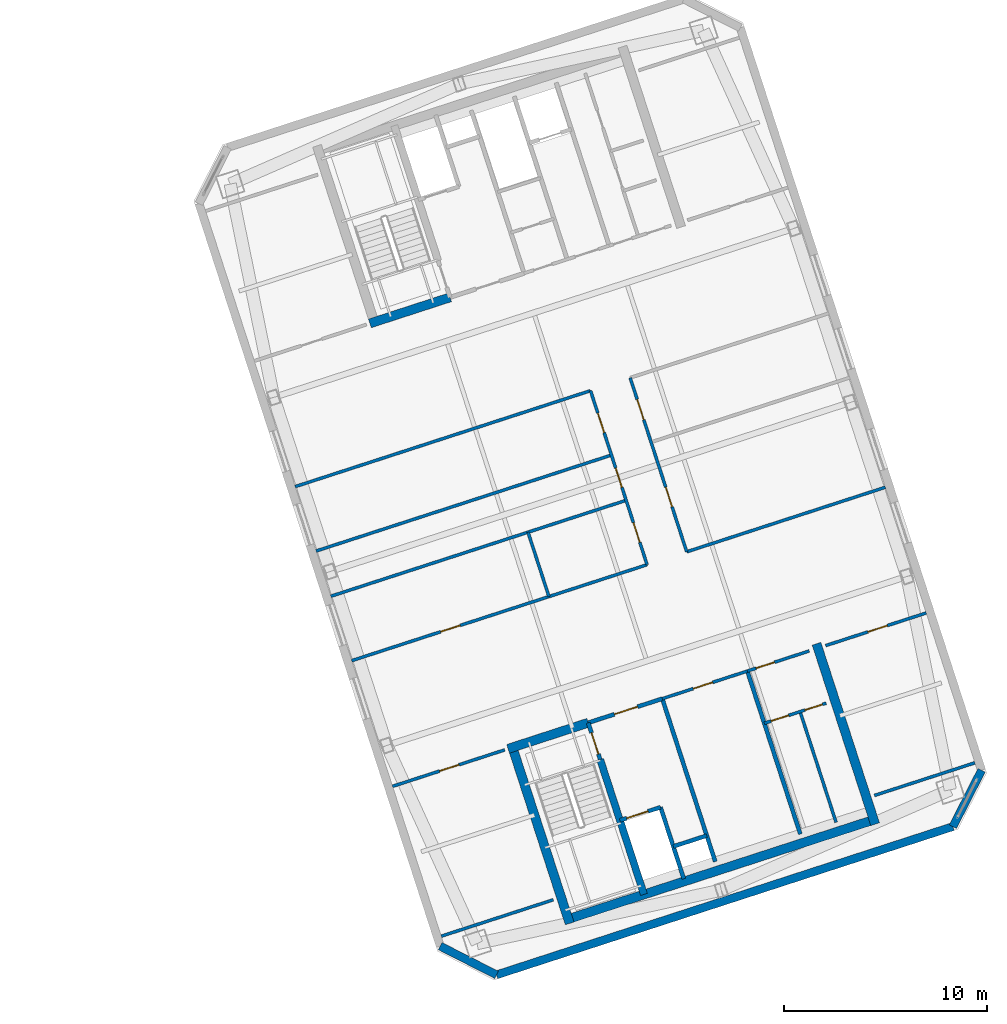
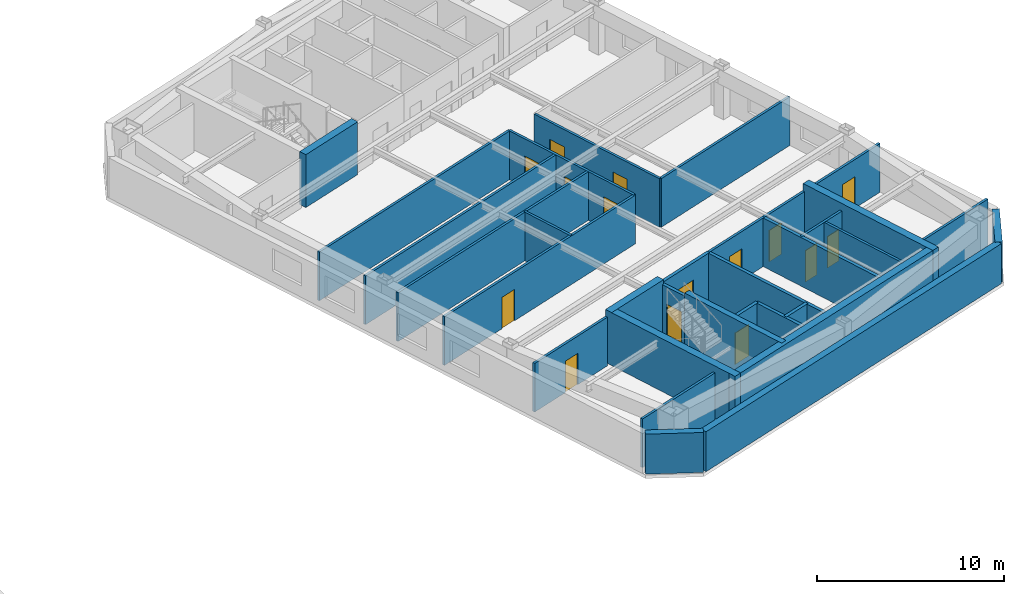
# One storey, part 16 of 20: 32 walls, 15 doors, 15 openings.
"""IFC4 building model written with IfcOpenShell, lengths in metres."""

from ifc_helpers import new_model, si_unit, direction, frame, frame_2d, origin, place, context, subcontext, project, spatial, rectangle, extrude, material, layer, layer_set, type_object, element, fill, save


model = new_model("IFC4")

# Units and contexts
model_context = context("Model", 3, precision=1e-05, world=origin(), true_north=direction((0.0, 1.0)))
body_context = subcontext(model_context, "Body", "Model", "MODEL_VIEW")
ifc_project = project(units=[si_unit("LENGTHUNIT", "METRE"), si_unit("AREAUNIT", "SQUARE_METRE"), si_unit("VOLUMEUNIT", "CUBIC_METRE"), si_unit("PLANEANGLEUNIT", "RADIAN"), si_unit("MASSUNIT", "GRAM", prefix="KILO")], contexts=[model_context])

# Site, building, storey
site_placement = place(None, origin())
site = spatial("IfcSite", under=ifc_project, at=site_placement, CompositionType="ELEMENT")
building_placement = place(site_placement, origin())
building = spatial("IfcBuilding", under=site, at=building_placement, Name="Qiaolan Cultural Towers", CompositionType="ELEMENT")
storey_placement = place(building_placement, frame((0.0, 0.0, 223.10009765625)))
storey = spatial("IfcBuildingStorey", under=building, at=storey_placement, Name="L60", CompositionType="ELEMENT", Elevation=223.10009765625)

# Walls
ifc_material_1 = material(Name="Concrete C50", Category="concrete")
ifc_layer_1 = layer(ifc_material_1, 0.35009765625)
ifc_layer_set_1 = layer_set([ifc_layer_1], Name="Concrete C50")
wall_type_1 = type_object("IfcWallType", Name="WL-CORE-350", PredefinedType="SHEAR", material=ifc_layer_set_1)
wall_1_placement = place(storey_placement, frame((90.486328125, 20.59423828125, 0.0), z_axis=(0.0, 0.0, 1.0), x_axis=(0.309020428229, -0.951055400562, 0.0)))
element("IfcWall", 1, at=wall_1_placement, inside=storey, type_object=wall_type_1, Name="L60 T2-CS Stair Core Dividing Web", PredefinedType="SHEAR", context=body_context, shape_type="SweptSolid", body=[
    extrude(rectangle(XDim=6.97998046875, YDim=0.35009765625, at=frame_2d((3.489990234375, 0.0))), origin(), (0.0, 0.0, 1.0), 3.449951171875),
])
ifc_material_2 = material(Name="Concrete C50", Category="concrete")
ifc_layer_2 = layer(ifc_material_2, 0.449951171875)
ifc_layer_set_2 = layer_set([ifc_layer_2], Name="Concrete C50")
wall_type_2 = type_object("IfcWallType", Name="WL-CORE-450", PredefinedType="SHEAR", material=ifc_layer_set_2)
wall_2_placement = place(storey_placement, frame((88.701171875, 12.675048828125, 0.0), z_axis=(0.0, 0.0, 1.0), x_axis=(0.95105824505, 0.309011673763, 0.0)))
element("IfcWall", 2, at=wall_2_placement, inside=storey, type_object=wall_type_2, Name="L60 T2-CS Outer Core Shear Wall", PredefinedType="SHEAR", context=body_context, shape_type="SweptSolid", body=[
    extrude(rectangle(XDim=16.250244140625, YDim=0.449951171875, at=frame_2d((8.125, 0.0))), origin(), (0.0, 0.0, 1.0), 3.449951171875),
])
for number, where, z_axis, x_axis, name in (
    (3, (86.1015625, 21.40380859375, 0.0), (0.0, 0.0, 1.0), (0.309035778627, -0.951050412717, 0.0), "L60 T2-CS West Core Shear Wall"),
    (4, (101.12841796875, 26.286376953125, 0.0), (0.0, 0.0, 1.0), (0.309004419953, -0.951060601881, 0.0), "L60 T2-CS East Core Shear Wall"),
):
    element("IfcWall", number, at=place(storey_placement, frame(where, z_axis=z_axis, x_axis=x_axis)), inside=storey, type_object=wall_type_2, Name=name, PredefinedType="SHEAR", context=body_context, shape_type="SweptSolid", body=[
        extrude(rectangle(XDim=9.330078125, YDim=0.449951171875, at=frame_2d((4.6650390625, 0.0))), origin(), (0.0, 0.0, 1.0), 3.449951171875),
    ])
for number, where, z_axis, x_axis, name in (
    (5, (85.957275390625, 21.120361328125, 0.0), (0.0, 0.0, 1.0), (0.951064796122, 0.308991510526, 0.0), "L60 T2-CS Stair Front Shear Wall"),
    (6, (79.15869140625, 42.04345703125, 0.0), (0.0, 0.0, 1.0), (0.951047485828, 0.309044785913, 0.0), "L60 T2-CN Stair Front Shear Wall"),
):
    element("IfcWall", number, at=place(storey_placement, frame(where, z_axis=z_axis, x_axis=x_axis)), inside=storey, type_object=wall_type_2, Name=name, PredefinedType="SHEAR", context=body_context, shape_type="SweptSolid", body=[
        extrude(rectangle(XDim=4.14501953125, YDim=0.449951171875, at=frame_2d((2.072509765625, 0.0))), origin(), (0.0, 0.0, 1.0), 3.449951171875),
    ])
ifc_material_3 = material(Name="Precast Concrete C50 Honed Stone Pier", Category="masonry")
ifc_layer_3 = layer(ifc_material_3, 0.39990234375)
ifc_layer_set_3 = layer_set([ifc_layer_3], Name="Precast Concrete C50 Honed Stone Pier")
wall_type_3 = type_object("IfcWallType", Name="WL-EXT-PIER-400", PredefinedType="SOLIDWALL", material=ifc_layer_set_3)
wall_3_placement = place(storey_placement, frame((109.247802734375, 20.06591796875, 0.0), z_axis=(0.0, 0.0, 1.0), x_axis=(-0.453949291228, -0.891027519774, 0.0)))
element("IfcWall", 7, at=wall_3_placement, inside=storey, type_object=wall_type_3, Name="L60 East Tower Precast Pier Facade Wall F6", PredefinedType="SOLIDWALL", context=body_context, shape_type="SweptSolid", body=[
    extrude(rectangle(XDim=3.111328125, YDim=0.39990234375, at=frame_2d((1.5556640625, 0.0))), origin(), (0.0, 0.0, 1.0), 2.60986328125),
])
wall_4_placement = place(storey_placement, frame((107.83544921875, 17.293701171875, 0.0), z_axis=(0.0, 0.0, 1.0), x_axis=(-0.951058012937, -0.309012388148, 0.0)))
element("IfcWall", 8, at=wall_4_placement, inside=storey, type_object=wall_type_3, Name="L60 East Tower Precast Pier Facade Wall F7", PredefinedType="SOLIDWALL", context=body_context, shape_type="SweptSolid", body=[
    extrude(rectangle(XDim=23.60009765625, YDim=0.39990234375, at=frame_2d((11.800048828125, 0.0))), origin(), (0.0, 0.0, 1.0), 2.60986328125),
])
wall_5_placement = place(storey_placement, frame((85.390380859375, 10.0009765625, 0.0), z_axis=(0.0, 0.0, 1.0), x_axis=(-0.890979603174, 0.454043331334, 0.0)))
element("IfcWall", 9, at=wall_5_placement, inside=storey, type_object=wall_type_3, Name="L60 East Tower Precast Pier Facade Wall F8", PredefinedType="SOLIDWALL", context=body_context, shape_type="SweptSolid", body=[
    extrude(rectangle(XDim=3.111083984375, YDim=0.39990234375, at=frame_2d((1.5556640625, 0.0))), origin(), (0.0, 0.0, 1.0), 2.60986328125),
])

# Wall, opening, door
ifc_material_4 = material(Name="Concrete C35 Fire Wall", Category="concrete")
ifc_layer_4 = layer(ifc_material_4, 0.199951171875)
ifc_layer_set_4 = layer_set([ifc_layer_4], Name="Concrete C35 Fire Wall")
wall_type_4 = type_object("IfcWallType", Name="WL-FIRE-200", PredefinedType="PARTITIONING", material=ifc_layer_set_4)
wall_6_placement = place(storey_placement, frame((89.8994140625, 22.401123046875, 0.0), z_axis=(0.0, 0.0, 1.0), x_axis=(0.308932062672, -0.951084108086, 0.0)))
wall_6 = element("IfcWall", 10, at=wall_6_placement, inside=storey, type_object=wall_type_4, Name="L60 T2-CS Smokeproof Stair Entry Wall", PredefinedType="PARTITIONING", context=body_context, shape_type="SweptSolid", body=[
    extrude(rectangle(XDim=1.89990234375, YDim=0.199951171875, at=frame_2d((0.949951171875, 0.0))), origin(), (0.0, 0.0, 1.0), 3.1748046875),
])
opening_1_placement = place(wall_6_placement, frame((0.52001953125, 0.0, 0.0)))
opening_1 = element("IfcOpeningElement", 11, at=opening_1_placement, cuts=wall_6, Name="Opening FD-04", PredefinedType="OPENING", context=body_context, shape_type="SweptSolid", body=[
    extrude(rectangle(XDim=1.10009765625, YDim=2.050048828125, at=frame_2d((0.550048828125, 1.02490234375))), frame((0.0, 0.10986328125, 0.0), z_axis=(0.0, -1.0, 0.0), x_axis=(1.0, 0.0, 0.0)), (0.0, 0.0, 1.0), 0.219970703125),
])
ifc_material_5 = material(Name="Galvanized Steel Command Fire Door", Category="steel")
door_type_1 = type_object("IfcDoorType", Name="DR-FD90-1100", OperationType="NOTDEFINED", PredefinedType="DOOR", material=ifc_material_5)
door_1_placement = place(opening_1_placement, origin())
door_1 = element("IfcDoor", 12, at=door_1_placement, inside=storey, type_object=door_type_1, Name="L60 ST-E1 Smokeproof Stair Fire Door", OperationType="SINGLE_SWING_LEFT", OverallHeight=2.050048828125, OverallWidth=1.10009765625, PredefinedType="DOOR", context=body_context, shape_type="SweptSolid", body=[
    extrude(rectangle(XDim=1.10009765625, YDim=2.050048828125, at=frame_2d((0.550048828125, 1.02490234375))), frame((0.0, 0.02490234375, 0.0), z_axis=(0.0, -1.0, 0.0), x_axis=(1.0, 0.0, 0.0)), (0.0, 0.0, 1.0), 0.050048828125),
])
fill(opening_1, door_1)

# Wall
wall_7_placement = place(storey_placement, frame((93.541748046875, 23.584716796875, 0.0), z_axis=(0.0, 0.0, 1.0), x_axis=(0.309042196757, -0.951048327176, 0.0)))
element("IfcWall", 13, at=wall_7_placement, inside=storey, type_object=wall_type_4, Name="L60 T2-CS Firefighting Zone Wall", PredefinedType="PARTITIONING", context=body_context, shape_type="SweptSolid", body=[
    extrude(rectangle(XDim=8.429931640625, YDim=0.199951171875, at=frame_2d((4.21484375, 0.0))), origin(), (0.0, 0.0, 1.0), 3.1748046875),
])

# Wall, opening, door
wall_8_placement = place(storey_placement, frame((89.8994140625, 22.401123046875, 0.0), z_axis=(0.0, 0.0, 1.0), x_axis=(0.951046716504, 0.309047153403, 0.0)))
wall_8 = element("IfcWall", 14, at=wall_8_placement, inside=storey, type_object=wall_type_4, Name="L60 T2-CS Firefighting Lobby Front Wall", PredefinedType="PARTITIONING", context=body_context, shape_type="SweptSolid", body=[
    extrude(rectangle(XDim=3.829833984375, YDim=0.199951171875, at=frame_2d((1.9150390625, 0.0))), origin(), (0.0, 0.0, 1.0), 3.1748046875),
])
opening_2_placement = place(wall_8_placement, frame((1.35009765625, 0.0, 0.0)))
opening_2 = element("IfcOpeningElement", 15, at=opening_2_placement, cuts=wall_8, Name="Opening FD-03", PredefinedType="OPENING", context=body_context, shape_type="SweptSolid", body=[
    extrude(rectangle(XDim=1.199951171875, YDim=2.050048828125, at=frame_2d((0.60009765625, 1.02490234375))), frame((0.0, 0.10986328125, 0.0), z_axis=(0.0, -1.0, 0.0), x_axis=(1.0, 0.0, 0.0)), (0.0, 0.0, 1.0), 0.219970703125),
])
ifc_material_6 = material(Name="Galvanized Steel Smokeproof Lobby Fire Door", Category="steel")
door_type_2 = type_object("IfcDoorType", Name="DR-FD90-1200", OperationType="NOTDEFINED", PredefinedType="DOOR", material=ifc_material_6)
door_2_placement = place(opening_2_placement, origin())
door_2 = element("IfcDoor", 16, at=door_2_placement, inside=storey, type_object=door_type_2, Name="L60 FFL-E1 Firefighting Lobby Fire Door", OperationType="SINGLE_SWING_LEFT", OverallHeight=2.050048828125, OverallWidth=1.199951171875, PredefinedType="DOOR", context=body_context, shape_type="SweptSolid", body=[
    extrude(rectangle(XDim=1.199951171875, YDim=2.050048828125, at=frame_2d((0.60009765625, 1.02490234375))), frame((0.0, 0.02490234375, 0.0), z_axis=(0.0, -1.0, 0.0), x_axis=(1.0, 0.0, 0.0)), (0.0, 0.0, 1.0), 0.050048828125),
])
fill(opening_2, door_2)

wall_9_placement = place(storey_placement, frame((91.459716796875, 17.598388671875, 0.0), z_axis=(0.0, 0.0, 1.0), x_axis=(0.951062257173, 0.308999325213, 0.0)))
wall_9 = element("IfcWall", 17, at=wall_9_placement, inside=storey, type_object=wall_type_4, Name="L60 T2-CS Firefighting Shaft Front Wall", PredefinedType="PARTITIONING", context=body_context, shape_type="SweptSolid", body=[
    extrude(rectangle(XDim=2.10009765625, YDim=0.199951171875, at=frame_2d((1.050048828125, 0.0))), origin(), (0.0, 0.0, 1.0), 3.1748046875),
])
opening_3_placement = place(wall_9_placement, frame((0.35009765625, 0.0, 0.0)))
opening_3 = element("IfcOpeningElement", 18, at=opening_3_placement, cuts=wall_9, Name="Opening LD-01", PredefinedType="OPENING", context=body_context, shape_type="SweptSolid", body=[
    extrude(rectangle(XDim=1.10009765625, YDim=2.050048828125, at=frame_2d((0.550048828125, 1.02490234375))), frame((0.0, 0.10986328125, 0.0), z_axis=(0.0, -1.0, 0.0), x_axis=(1.0, 0.0, 0.0)), (0.0, 0.0, 1.0), 0.219970703125),
])
ifc_material_7 = material(Name="Brushed Stainless Steel S30408 Centre-Parting Lift Landing Door", Category="steel")
door_type_3 = type_object("IfcDoorType", Name="DR-LIFT-1100", OperationType="NOTDEFINED", PredefinedType="DOOR", material=ifc_material_7)
door_3_placement = place(opening_3_placement, origin())
door_3 = element("IfcDoor", 19, at=door_3_placement, inside=storey, type_object=door_type_3, Name="L60 FFL-E1 Firefighting Lift Landing Door", OperationType="DOUBLE_DOOR_SLIDING", OverallHeight=2.050048828125, OverallWidth=1.10009765625, PredefinedType="DOOR", context=body_context, shape_type="SweptSolid", body=[
    extrude(rectangle(XDim=1.10009765625, YDim=2.050048828125, at=frame_2d((0.550048828125, 1.02490234375))), frame((0.0, 0.02490234375, 0.0), z_axis=(0.0, -1.0, 0.0), x_axis=(1.0, 0.0, 0.0)), (0.0, 0.0, 1.0), 0.050048828125),
])
fill(opening_3, door_3)

# Walls
wall_10_placement = place(storey_placement, frame((93.45703125, 18.247314453125, 0.0), z_axis=(0.0, 0.0, 1.0), x_axis=(0.3089935693, -0.951064127245, 0.0)))
element("IfcWall", 20, at=wall_10_placement, inside=storey, type_object=wall_type_4, Name="L60 T2-CS Firefighting Hoistway East Wall", PredefinedType="PARTITIONING", context=body_context, shape_type="SweptSolid", body=[
    extrude(rectangle(XDim=3.7001953125, YDim=0.199951171875, at=frame_2d((1.85009765625, 0.0))), origin(), (0.0, 0.0, 1.0), 3.1748046875),
])
wall_11_placement = place(storey_placement, frame((94.08447265625, 16.316650390625, 0.0), z_axis=(0.0, 0.0, 1.0), x_axis=(0.951041328149, 0.309063734775, 0.0)))
element("IfcWall", 21, at=wall_11_placement, inside=storey, type_object=wall_type_4, Name="L60 T2-CS Pressurization Shaft Front Wall", PredefinedType="PARTITIONING", context=body_context, shape_type="SweptSolid", body=[
    extrude(rectangle(XDim=1.72998046875, YDim=0.199951171875, at=frame_2d((0.864990234375, 0.0))), origin(), (0.0, 0.0, 1.0), 3.1748046875),
])
wall_12_placement = place(storey_placement, frame((97.7265625, 24.9443359375, 0.0), z_axis=(0.0, 0.0, 1.0), x_axis=(0.309016001439, -0.951056838919, 0.0)))
element("IfcWall", 22, at=wall_12_placement, inside=storey, type_object=wall_type_4, Name="L60 T2-CS Lift Core East Wall", PredefinedType="PARTITIONING", context=body_context, shape_type="SweptSolid", body=[
    extrude(rectangle(XDim=8.429931640625, YDim=0.199951171875, at=frame_2d((4.21484375, 0.0))), origin(), (0.0, 0.0, 1.0), 3.1748046875),
])

# Wall, opening, door
ifc_material_8 = material(Name="Autoclaved Aerated Concrete Block B06", Category="concrete")
ifc_layer_5 = layer(ifc_material_8, 0.14990234375)
ifc_layer_set_5 = layer_set([ifc_layer_5], Name="Autoclaved Aerated Concrete Block B06")
wall_type_5 = type_object("IfcWallType", Name="WL-PART-150", PredefinedType="PARTITIONING", material=ifc_layer_set_5)
wall_13_placement = place(storey_placement, frame((93.541748046875, 23.584716796875, 0.0), z_axis=(0.0, 0.0, 1.0), x_axis=(0.951063829732, 0.308994485023, 0.0)))
wall_13 = element("IfcWall", 23, at=wall_13_placement, inside=storey, type_object=wall_type_5, Name="L60 T2-CS Reclaimed Core Room Front Wall", PredefinedType="PARTITIONING", context=body_context, shape_type="SweptSolid", body=[
    extrude(rectangle(XDim=4.400146484375, YDim=0.14990234375, at=frame_2d((2.2001953125, 0.0))), origin(), (0.0, 0.0, 1.0), 3.1748046875),
])
opening_4_placement = place(wall_13_placement, frame((1.60009765625, 0.0, 0.0)))
opening_4 = element("IfcOpeningElement", 24, at=opening_4_placement, cuts=wall_13, Name="Opening ID-04", PredefinedType="OPENING", context=body_context, shape_type="SweptSolid", body=[
    extrude(rectangle(XDim=1.0, YDim=2.050048828125, at=frame_2d((0.5, 1.02490234375))), frame((0.0, 0.0849609375, 0.0), z_axis=(0.0, -1.0, 0.0), x_axis=(1.0, 0.0, 0.0)), (0.0, 0.0, 1.0), 0.169921875),
])
ifc_material_9 = material(Name="Oak Veneer Acoustic Office Door", Category="timber")
door_type_4 = type_object("IfcDoorType", Name="DR-INT-1000", OperationType="NOTDEFINED", PredefinedType="DOOR", material=ifc_material_9)
door_4_placement = place(opening_4_placement, origin())
door_4 = element("IfcDoor", 25, at=door_4_placement, inside=storey, type_object=door_type_4, Name="L60 Reclaimed Archive Room Door", OperationType="SINGLE_SWING_LEFT", OverallHeight=2.050048828125, OverallWidth=1.0, PredefinedType="DOOR", context=body_context, shape_type="SweptSolid", body=[
    extrude(rectangle(XDim=1.0, YDim=2.050048828125, at=frame_2d((0.5, 1.02490234375))), frame((0.0, 0.02490234375, 0.0), z_axis=(0.0, -1.0, 0.0), x_axis=(1.0, 0.0, 0.0)), (0.0, 0.0, 1.0), 0.050048828125),
])
fill(opening_4, door_4)

wall_14_placement = place(storey_placement, frame((97.7265625, 24.9443359375, 0.0), z_axis=(0.0, 0.0, 1.0), x_axis=(0.951036872128, 0.309077446369, 0.0)))
wall_14 = element("IfcWall", 26, at=wall_14_placement, inside=storey, type_object=wall_type_5, Name="L60 T2-CS Sanitary Core Front Wall", PredefinedType="PARTITIONING", context=body_context, shape_type="SweptSolid", body=[
    extrude(rectangle(XDim=3.199951171875, YDim=0.14990234375, at=frame_2d((1.60009765625, 0.0))), origin(), (0.0, 0.0, 1.0), 3.1748046875),
])
opening_5_placement = place(wall_14_placement, frame((0.449951171875, 0.0, 0.0)))
opening_5 = element("IfcOpeningElement", 27, at=opening_5_placement, cuts=wall_14, Name="Opening ID-05", PredefinedType="OPENING", context=body_context, shape_type="SweptSolid", body=[
    extrude(rectangle(XDim=0.949951171875, YDim=2.050048828125, at=frame_2d((0.47509765625, 1.02490234375))), frame((0.0, 0.0849609375, 0.0), z_axis=(0.0, -1.0, 0.0), x_axis=(1.0, 0.0, 0.0)), (0.0, 0.0, 1.0), 0.169921875),
])
ifc_material_10 = material(Name="Fire-Rated Laminate Accessible Core Door", Category="timber")
door_type_5 = type_object("IfcDoorType", Name="DR-INT-950", OperationType="NOTDEFINED", PredefinedType="DOOR", material=ifc_material_10)
door_5_placement = place(opening_5_placement, origin())
door_5 = element("IfcDoor", 28, at=door_5_placement, inside=storey, type_object=door_type_5, Name="L60 Sanitary Vestibule Door", OperationType="SINGLE_SWING_LEFT", OverallHeight=2.050048828125, OverallWidth=0.949951171875, PredefinedType="DOOR", context=body_context, shape_type="SweptSolid", body=[
    extrude(rectangle(XDim=0.949951171875, YDim=2.050048828125, at=frame_2d((0.47509765625, 1.02490234375))), frame((0.0, 0.02490234375, 0.0), z_axis=(0.0, -1.0, 0.0), x_axis=(1.0, 0.0, 0.0)), (0.0, 0.0, 1.0), 0.050048828125),
])
fill(opening_5, door_5)

# Wall, openings, doors
wall_15_placement = place(storey_placement, frame((98.560791015625, 22.37646484375, 0.0), z_axis=(0.0, 0.0, 1.0), x_axis=(0.95104415986, 0.309055020985, 0.0)))
wall_15 = element("IfcWall", 29, at=wall_15_placement, inside=storey, type_object=wall_type_5, Name="L60 T2-CS Restroom Vestibule Wall", PredefinedType="PARTITIONING", context=body_context, shape_type="SweptSolid", body=[
    extrude(rectangle(XDim=3.2001953125, YDim=0.14990234375, at=frame_2d((1.60009765625, 0.0))), origin(), (0.0, 0.0, 1.0), 3.1748046875),
])
opening_6_placement = place(wall_15_placement, frame((0.35009765625, 0.0, 0.0)))
opening_6 = element("IfcOpeningElement", 30, at=opening_6_placement, cuts=wall_15, Name="Opening ID-06", PredefinedType="OPENING", context=body_context, shape_type="SweptSolid", body=[
    extrude(rectangle(XDim=0.89990234375, YDim=2.050048828125, at=frame_2d((0.449951171875, 1.02490234375))), frame((0.0, 0.0849609375, 0.0), z_axis=(0.0, -1.0, 0.0), x_axis=(1.0, 0.0, 0.0)), (0.0, 0.0, 1.0), 0.169921875),
])
opening_7_placement = place(wall_15_placement, frame((2.10009765625, 0.0, 0.0)))
opening_7 = element("IfcOpeningElement", 31, at=opening_7_placement, cuts=wall_15, Name="Opening ID-06", PredefinedType="OPENING", context=body_context, shape_type="SweptSolid", body=[
    extrude(rectangle(XDim=0.89990234375, YDim=2.050048828125, at=frame_2d((0.449951171875, 1.02490234375))), frame((0.0, 0.0849609375, 0.0), z_axis=(0.0, -1.0, 0.0), x_axis=(1.0, 0.0, 0.0)), (0.0, 0.0, 1.0), 0.169921875),
])
ifc_material_11 = material(Name="Fire-Rated Laminate Core Service Door", Category="timber")
door_type_6 = type_object("IfcDoorType", Name="DR-INT-900", OperationType="NOTDEFINED", PredefinedType="DOOR", material=ifc_material_11)
door_6_placement = place(opening_6_placement, origin())
door_6 = element("IfcDoor", 32, at=door_6_placement, inside=storey, type_object=door_type_6, Name="L60 Men Restroom Door", OperationType="SINGLE_SWING_LEFT", OverallHeight=2.050048828125, OverallWidth=0.89990234375, PredefinedType="DOOR", context=body_context, shape_type="SweptSolid", body=[
    extrude(rectangle(XDim=0.89990234375, YDim=2.050048828125, at=frame_2d((0.449951171875, 1.02490234375))), frame((0.0, 0.02490234375, 0.0), z_axis=(0.0, -1.0, 0.0), x_axis=(1.0, 0.0, 0.0)), (0.0, 0.0, 1.0), 0.050048828125),
])
fill(opening_6, door_6)
door_7_placement = place(opening_7_placement, origin())
door_7 = element("IfcDoor", 33, at=door_7_placement, inside=storey, type_object=door_type_6, Name="L60 Accessible & Women Restroom Door", OperationType="SINGLE_SWING_RIGHT", OverallHeight=2.050048828125, OverallWidth=0.89990234375, PredefinedType="DOOR", context=body_context, shape_type="SweptSolid", body=[
    extrude(rectangle(XDim=0.89990234375, YDim=2.050048828125, at=frame_2d((0.449951171875, 1.02490234375))), frame((0.0, 0.02490234375, 0.0), z_axis=(0.0, -1.0, 0.0), x_axis=(1.0, 0.0, 0.0)), (0.0, 0.0, 1.0), 0.050048828125),
])
fill(opening_7, door_7)

# Walls
wall_16_placement = place(storey_placement, frame((100.3203125, 22.9482421875, 0.0), z_axis=(0.0, 0.0, 1.0), x_axis=(0.309035009867, -0.951050662518, 0.0)))
element("IfcWall", 34, at=wall_16_placement, inside=storey, type_object=wall_type_5, Name="L60 T2-CS Restroom Divider Wall", PredefinedType="PARTITIONING", context=body_context, shape_type="SweptSolid", body=[
    extrude(rectangle(XDim=5.72998046875, YDim=0.14990234375, at=frame_2d((2.864990234375, 0.0))), origin(), (0.0, 0.0, 1.0), 3.1748046875),
])
wall_17_placement = place(storey_placement, frame((82.66943359375, 11.9033203125, 0.0), z_axis=(0.0, 0.0, 1.0), x_axis=(0.951059431056, 0.309008023519, 0.0)))
element("IfcWall", 35, at=wall_17_placement, inside=storey, type_object=wall_type_5, Name="L60 T2 Flank Wall FLK-SW", PredefinedType="PARTITIONING", context=body_context, shape_type="SweptSolid", body=[
    extrude(rectangle(XDim=5.800048828125, YDim=0.14990234375, at=frame_2d((2.89990234375, 0.0))), origin(), (0.0, 0.0, 1.0), 3.1748046875),
])

# Wall, opening, door
wall_18_placement = place(storey_placement, frame((80.274658203125, 19.27392578125, 0.0), z_axis=(0.0, 0.0, 1.0), x_axis=(0.951059431056, 0.309008023519, 0.0)))
wall_18 = element("IfcWall", 36, at=wall_18_placement, inside=storey, type_object=wall_type_5, Name="L60 T2 Flank Front FLK-SW", PredefinedType="PARTITIONING", context=body_context, shape_type="SweptSolid", body=[
    extrude(rectangle(XDim=5.800048828125, YDim=0.14990234375, at=frame_2d((2.89990234375, 0.0))), origin(), (0.0, 0.0, 1.0), 3.1748046875),
])
opening_8_placement = place(wall_18_placement, frame((2.43603515625, 0.0, 0.0)))
opening_8 = element("IfcOpeningElement", 37, at=opening_8_placement, cuts=wall_18, Name="Opening ID-04", PredefinedType="OPENING", context=body_context, shape_type="SweptSolid", body=[
    extrude(rectangle(XDim=1.0, YDim=2.050048828125, at=frame_2d((0.5, 1.02490234375))), frame((0.0, 0.0849609375, 0.0), z_axis=(0.0, -1.0, 0.0), x_axis=(1.0, 0.0, 0.0)), (0.0, 0.0, 1.0), 0.169921875),
])
door_8_placement = place(opening_8_placement, origin())
door_8 = element("IfcDoor", 38, at=door_8_placement, inside=storey, type_object=door_type_4, Name="L60 T2 Corner Studio Door", OperationType="SINGLE_SWING_LEFT", OverallHeight=2.050048828125, OverallWidth=1.0, PredefinedType="DOOR", context=body_context, shape_type="SweptSolid", body=[
    extrude(rectangle(XDim=1.0, YDim=2.050048828125, at=frame_2d((0.5, 1.02490234375))), frame((0.0, 0.02490234375, 0.0), z_axis=(0.0, -1.0, 0.0), x_axis=(1.0, 0.0, 0.0)), (0.0, 0.0, 1.0), 0.050048828125),
])
fill(opening_8, door_8)

# Wall
wall_19_placement = place(storey_placement, frame((103.97314453125, 18.8251953125, 0.0), z_axis=(0.0, 0.0, 1.0), x_axis=(0.951055112834, 0.309021313752, 0.0)))
element("IfcWall", 39, at=wall_19_placement, inside=storey, type_object=wall_type_5, Name="L60 T2 Flank Wall FLK-SE", PredefinedType="PARTITIONING", context=body_context, shape_type="SweptSolid", body=[
    extrude(rectangle(XDim=5.2001953125, YDim=0.14990234375, at=frame_2d((2.60009765625, 0.0))), origin(), (0.0, 0.0, 1.0), 3.1748046875),
])

# Wall, opening, door
wall_20_placement = place(storey_placement, frame((101.578369140625, 26.196044921875, 0.0), z_axis=(0.0, 0.0, 1.0), x_axis=(0.951064427824, 0.308992644131, 0.0)))
wall_20 = element("IfcWall", 40, at=wall_20_placement, inside=storey, type_object=wall_type_5, Name="L60 T2 Flank Front FLK-SE", PredefinedType="PARTITIONING", context=body_context, shape_type="SweptSolid", body=[
    extrude(rectangle(XDim=5.19970703125, YDim=0.14990234375, at=frame_2d((2.599853515625, 0.0))), origin(), (0.0, 0.0, 1.0), 3.1748046875),
])
opening_9_placement = place(wall_20_placement, frame((2.18408203125, 0.0, 0.0)))
opening_9 = element("IfcOpeningElement", 41, at=opening_9_placement, cuts=wall_20, Name="Opening ID-04", PredefinedType="OPENING", context=body_context, shape_type="SweptSolid", body=[
    extrude(rectangle(XDim=1.0, YDim=2.050048828125, at=frame_2d((0.5, 1.02490234375))), frame((0.0, 0.0849609375, 0.0), z_axis=(0.0, -1.0, 0.0), x_axis=(1.0, 0.0, 0.0)), (0.0, 0.0, 1.0), 0.169921875),
])
door_9_placement = place(opening_9_placement, origin())
door_9 = element("IfcDoor", 42, at=door_9_placement, inside=storey, type_object=door_type_4, Name="L60 T2 Corner Studio Door", OperationType="SINGLE_SWING_LEFT", OverallHeight=2.050048828125, OverallWidth=1.0, PredefinedType="DOOR", context=body_context, shape_type="SweptSolid", body=[
    extrude(rectangle(XDim=1.0, YDim=2.050048828125, at=frame_2d((0.5, 1.02490234375))), frame((0.0, 0.02490234375, 0.0), z_axis=(0.0, -1.0, 0.0), x_axis=(1.0, 0.0, 0.0)), (0.0, 0.0, 1.0), 0.050048828125),
])
fill(opening_9, door_9)

wall_21_placement = place(storey_placement, frame((78.26611328125, 25.455810546875, 0.0), z_axis=(0.0, 0.0, 1.0), x_axis=(0.951056617779, 0.30901668204, 0.0)))
wall_21 = element("IfcWall", 43, at=wall_21_placement, inside=storey, type_object=wall_type_5, Name="L60 T2 South Foyer West Wall", PredefinedType="PARTITIONING", context=body_context, shape_type="SweptSolid", body=[
    extrude(rectangle(XDim=15.27490234375, YDim=0.14990234375, at=frame_2d((7.637451171875, 0.0))), origin(), (0.0, 0.0, 1.0), 3.1748046875),
])
opening_10_placement = place(wall_21_placement, frame((4.60009765625, 0.0, 0.0)))
opening_10 = element("IfcOpeningElement", 44, at=opening_10_placement, cuts=wall_21, Name="Opening ID-04", PredefinedType="OPENING", context=body_context, shape_type="SweptSolid", body=[
    extrude(rectangle(XDim=1.0, YDim=2.050048828125, at=frame_2d((0.5, 1.02490234375))), frame((0.0, 0.0849609375, 0.0), z_axis=(0.0, -1.0, 0.0), x_axis=(1.0, 0.0, 0.0)), (0.0, 0.0, 1.0), 0.169921875),
])
door_10_placement = place(opening_10_placement, origin())
door_10 = element("IfcDoor", 45, at=door_10_placement, inside=storey, type_object=door_type_4, Name="L60 T2 Executive Tower Office Door", OperationType="SINGLE_SWING_LEFT", OverallHeight=2.050048828125, OverallWidth=1.0, PredefinedType="DOOR", context=body_context, shape_type="SweptSolid", body=[
    extrude(rectangle(XDim=1.0, YDim=2.050048828125, at=frame_2d((0.5, 1.02490234375))), frame((0.0, 0.02490234375, 0.0), z_axis=(0.0, -1.0, 0.0), x_axis=(1.0, 0.0, 0.0)), (0.0, 0.0, 1.0), 0.050048828125),
])
fill(opening_10, door_10)

# Walls
wall_22_placement = place(storey_placement, frame((94.7431640625, 30.8095703125, 0.0), z_axis=(0.0, 0.0, 1.0), x_axis=(0.951058162647, 0.309011927378, 0.0)))
element("IfcWall", 46, at=wall_22_placement, inside=storey, type_object=wall_type_5, Name="L60 T2 South Foyer East Wall", PredefinedType="PARTITIONING", context=body_context, shape_type="SweptSolid", body=[
    extrude(rectangle(XDim=10.27490234375, YDim=0.14990234375, at=frame_2d((5.137451171875, 0.0))), origin(), (0.0, 0.0, 1.0), 3.1748046875),
])
wall_23_placement = place(storey_placement, frame((75.48486328125, 34.015380859375, 0.0), z_axis=(0.0, 0.0, 1.0), x_axis=(0.951056617779, 0.30901668204, 0.0)))
element("IfcWall", 47, at=wall_23_placement, inside=storey, type_object=wall_type_5, Name="L60 T2 North Foyer West Wall", PredefinedType="PARTITIONING", context=body_context, shape_type="SweptSolid", body=[
    extrude(rectangle(XDim=15.27490234375, YDim=0.14990234375, at=frame_2d((7.637451171875, 0.0))), origin(), (0.0, 0.0, 1.0), 3.1748046875),
])

# Wall, openings, doors
wall_24_placement = place(storey_placement, frame((92.79345703125, 30.176025390625, 0.0), z_axis=(0.0, 0.0, 1.0), x_axis=(-0.309024734286, 0.951054001411, 0.0)))
wall_24 = element("IfcWall", 48, at=wall_24_placement, inside=storey, type_object=wall_type_5, Name="L60 T2 Central Spine West Wall", PredefinedType="PARTITIONING", context=body_context, shape_type="SweptSolid", body=[
    extrude(rectangle(XDim=9.0, YDim=0.14990234375, at=frame_2d((4.5, 0.0))), origin(), (0.0, 0.0, 1.0), 3.1748046875),
])
opening_11_placement = place(wall_24_placement, frame((1.1650390625, 0.0, 0.0)))
opening_11 = element("IfcOpeningElement", 49, at=opening_11_placement, cuts=wall_24, Name="Opening ID-04", PredefinedType="OPENING", context=body_context, shape_type="SweptSolid", body=[
    extrude(rectangle(XDim=1.0, YDim=2.050048828125, at=frame_2d((0.5, 1.02490234375))), frame((0.0, 0.0849609375, 0.0), z_axis=(0.0, -1.0, 0.0), x_axis=(1.0, 0.0, 0.0)), (0.0, 0.0, 1.0), 0.169921875),
])
opening_12_placement = place(wall_24_placement, frame((4.0, 0.0, 0.0)))
opening_12 = element("IfcOpeningElement", 50, at=opening_12_placement, cuts=wall_24, Name="Opening ID-04", PredefinedType="OPENING", context=body_context, shape_type="SweptSolid", body=[
    extrude(rectangle(XDim=1.0, YDim=2.050048828125, at=frame_2d((0.5, 1.02490234375))), frame((0.0, 0.0849609375, 0.0), z_axis=(0.0, -1.0, 0.0), x_axis=(1.0, 0.0, 0.0)), (0.0, 0.0, 1.0), 0.169921875),
])
opening_13_placement = place(wall_24_placement, frame((6.8349609375, 0.0, 0.0)))
opening_13 = element("IfcOpeningElement", 51, at=opening_13_placement, cuts=wall_24, Name="Opening ID-04", PredefinedType="OPENING", context=body_context, shape_type="SweptSolid", body=[
    extrude(rectangle(XDim=1.0, YDim=2.050048828125, at=frame_2d((0.5, 1.02490234375))), frame((0.0, 0.0849609375, 0.0), z_axis=(0.0, -1.0, 0.0), x_axis=(1.0, 0.0, 0.0)), (0.0, 0.0, 1.0), 0.169921875),
])
door_11_placement = place(opening_11_placement, origin())
door_11 = element("IfcDoor", 52, at=door_11_placement, inside=storey, type_object=door_type_4, Name="L60 T2 Executive Tower Office Door", OperationType="SINGLE_SWING_RIGHT", OverallHeight=2.050048828125, OverallWidth=1.0, PredefinedType="DOOR", context=body_context, shape_type="SweptSolid", body=[
    extrude(rectangle(XDim=1.0, YDim=2.050048828125, at=frame_2d((0.5, 1.02490234375))), frame((0.0, 0.02490234375, 0.0), z_axis=(0.0, -1.0, 0.0), x_axis=(1.0, 0.0, 0.0)), (0.0, 0.0, 1.0), 0.050048828125),
])
fill(opening_11, door_11)
door_12_placement = place(opening_12_placement, origin())
door_12 = element("IfcDoor", 53, at=door_12_placement, inside=storey, type_object=door_type_4, Name="L60 T2 Executive Tower Office Door", OperationType="SINGLE_SWING_RIGHT", OverallHeight=2.050048828125, OverallWidth=1.0, PredefinedType="DOOR", context=body_context, shape_type="SweptSolid", body=[
    extrude(rectangle(XDim=1.0, YDim=2.050048828125, at=frame_2d((0.5, 1.02490234375))), frame((0.0, 0.02490234375, 0.0), z_axis=(0.0, -1.0, 0.0), x_axis=(1.0, 0.0, 0.0)), (0.0, 0.0, 1.0), 0.050048828125),
])
fill(opening_12, door_12)
door_13_placement = place(opening_13_placement, origin())
door_13 = element("IfcDoor", 54, at=door_13_placement, inside=storey, type_object=door_type_4, Name="L60 T2 Director Office Door", OperationType="SINGLE_SWING_LEFT", OverallHeight=2.050048828125, OverallWidth=1.0, PredefinedType="DOOR", context=body_context, shape_type="SweptSolid", body=[
    extrude(rectangle(XDim=1.0, YDim=2.050048828125, at=frame_2d((0.5, 1.02490234375))), frame((0.0, 0.02490234375, 0.0), z_axis=(0.0, -1.0, 0.0), x_axis=(1.0, 0.0, 0.0)), (0.0, 0.0, 1.0), 0.050048828125),
])
fill(opening_13, door_13)

wall_25_placement = place(storey_placement, frame((94.7431640625, 30.8095703125, 0.0), z_axis=(0.0, 0.0, 1.0), x_axis=(-0.309024734286, 0.951054001411, 0.0)))
wall_25 = element("IfcWall", 55, at=wall_25_placement, inside=storey, type_object=wall_type_5, Name="L60 T2 Central Spine East Wall", PredefinedType="PARTITIONING", context=body_context, shape_type="SweptSolid", body=[
    extrude(rectangle(XDim=9.0, YDim=0.14990234375, at=frame_2d((4.5, 0.0))), origin(), (0.0, 0.0, 1.0), 3.1748046875),
])
opening_14_placement = place(wall_25_placement, frame((2.3349609375, 0.0, 0.0)))
opening_14 = element("IfcOpeningElement", 56, at=opening_14_placement, cuts=wall_25, Name="Opening ID-04", PredefinedType="OPENING", context=body_context, shape_type="SweptSolid", body=[
    extrude(rectangle(XDim=1.0, YDim=2.050048828125, at=frame_2d((0.5, 1.02490234375))), frame((0.0, 0.0849609375, 0.0), z_axis=(0.0, -1.0, 0.0), x_axis=(1.0, 0.0, 0.0)), (0.0, 0.0, 1.0), 0.169921875),
])
opening_15_placement = place(wall_25_placement, frame((6.8349609375, 0.0, 0.0)))
opening_15 = element("IfcOpeningElement", 57, at=opening_15_placement, cuts=wall_25, Name="Opening ID-07", PredefinedType="OPENING", context=body_context, shape_type="SweptSolid", body=[
    extrude(rectangle(XDim=1.050048828125, YDim=2.050048828125, at=frame_2d((0.52490234375, 1.02490234375))), frame((0.0, 0.0849609375, 0.0), z_axis=(0.0, -1.0, 0.0), x_axis=(1.0, 0.0, 0.0)), (0.0, 0.0, 1.0), 0.169921875),
])
door_14_placement = place(opening_14_placement, origin())
door_14 = element("IfcDoor", 58, at=door_14_placement, inside=storey, type_object=door_type_4, Name="L60 T2 Board Conference Room Door", OperationType="SINGLE_SWING_RIGHT", OverallHeight=2.050048828125, OverallWidth=1.0, PredefinedType="DOOR", context=body_context, shape_type="SweptSolid", body=[
    extrude(rectangle(XDim=1.0, YDim=2.050048828125, at=frame_2d((0.5, 1.02490234375))), frame((0.0, 0.02490234375, 0.0), z_axis=(0.0, -1.0, 0.0), x_axis=(1.0, 0.0, 0.0)), (0.0, 0.0, 1.0), 0.050048828125),
])
fill(opening_14, door_14)
ifc_material_12 = material(Name="Oak Veneer Consultation Door", Category="timber")
door_type_7 = type_object("IfcDoorType", Name="DR-INT-1050", OperationType="NOTDEFINED", PredefinedType="DOOR", material=ifc_material_12)
door_15_placement = place(opening_15_placement, origin())
door_15 = element("IfcDoor", 59, at=door_15_placement, inside=storey, type_object=door_type_7, Name="L60 T2 Executive Lounge Door", OperationType="SINGLE_SWING_LEFT", OverallHeight=2.050048828125, OverallWidth=1.050048828125, PredefinedType="DOOR", context=body_context, shape_type="SweptSolid", body=[
    extrude(rectangle(XDim=1.050048828125, YDim=2.050048828125, at=frame_2d((0.52490234375, 1.02490234375))), frame((0.0, 0.02490234375, 0.0), z_axis=(0.0, -1.0, 0.0), x_axis=(1.0, 0.0, 0.0)), (0.0, 0.0, 1.0), 0.050048828125),
])
fill(opening_15, door_15)

# Walls
wall_26_placement = place(storey_placement, frame((87.966796875, 28.607666015625, 0.0), z_axis=(0.0, 0.0, 1.0), x_axis=(-0.309004845045, 0.951060463766, 0.0)))
element("IfcWall", 60, at=wall_26_placement, inside=storey, type_object=wall_type_5, Name="L60 T2 Interior Wall", PredefinedType="PARTITIONING", context=body_context, shape_type="SweptSolid", body=[
    extrude(rectangle(XDim=3.330322265625, YDim=0.14990234375, at=frame_2d((1.6650390625, 0.0))), origin(), (0.0, 0.0, 1.0), 3.1748046875),
])
for number, where, z_axis, x_axis, name in (
    (61, (77.237060546875, 28.622802734375, 0.0), (0.0, 0.0, 1.0), (0.951056617779, 0.30901668204, 0.0), "L60 T2 Interior Wall"),
    (62, (76.513916015625, 30.848388671875, 0.0), (0.0, 0.0, 1.0), (0.951056617779, 0.30901668204, 0.0), "L60 T2 Interior Wall"),
):
    element("IfcWall", number, at=place(storey_placement, frame(where, z_axis=z_axis, x_axis=x_axis)), inside=storey, type_object=wall_type_5, Name=name, PredefinedType="PARTITIONING", context=body_context, shape_type="SweptSolid", body=[
        extrude(rectangle(XDim=15.27490234375, YDim=0.14990234375, at=frame_2d((7.637451171875, 0.0))), origin(), (0.0, 0.0, 1.0), 3.1748046875),
    ])

save(model, "model.ifc")
